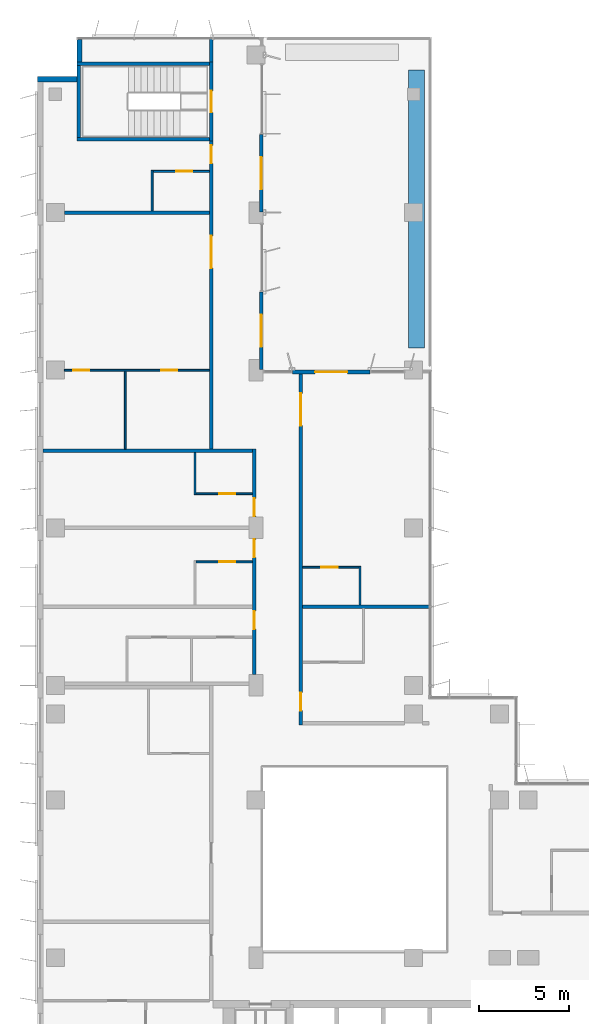
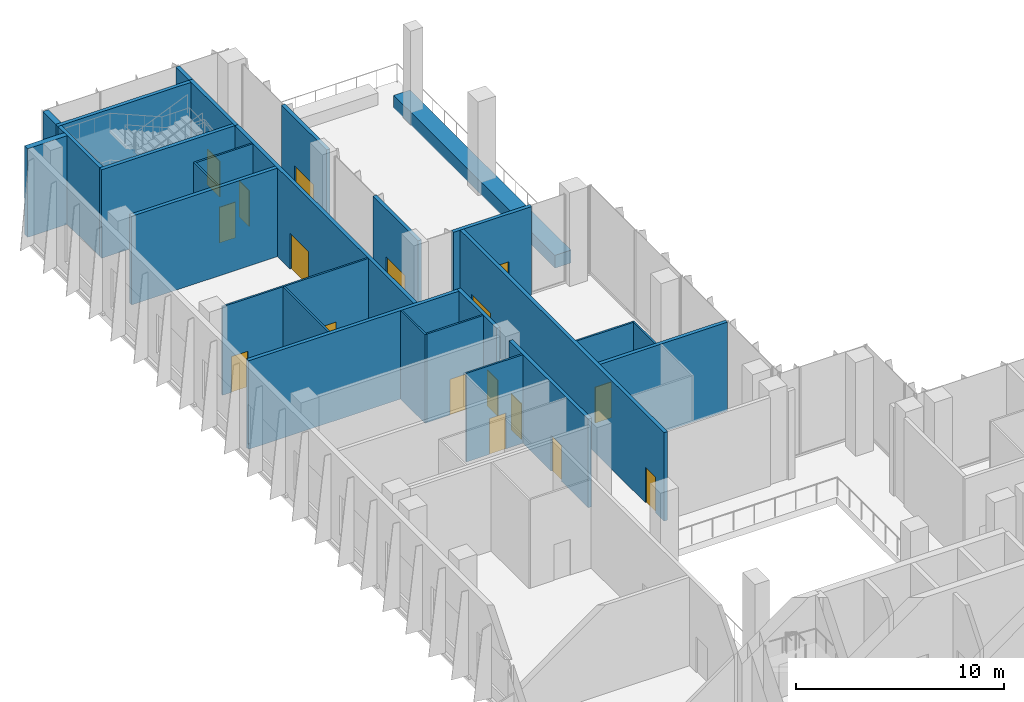
# One storey, part 17 of 24: 27 walls, 17 doors, 17 openings.
"""IFC4 building model written with IfcOpenShell, lengths in metres."""

from ifc_helpers import new_model, si_unit, direction, frame, frame_2d, origin, place, context, subcontext, project, spatial, rectangle, extrude, material, layer, layer_set, type_object, element, fill, save


model = new_model("IFC4")

# Units and contexts
model_context = context("Model", 3, precision=1e-05, world=origin(), true_north=direction((0.0, 1.0)))
body_context = subcontext(model_context, "Body", "Model", "MODEL_VIEW")
ifc_project = project(units=[si_unit("LENGTHUNIT", "METRE"), si_unit("AREAUNIT", "SQUARE_METRE"), si_unit("VOLUMEUNIT", "CUBIC_METRE"), si_unit("PLANEANGLEUNIT", "RADIAN"), si_unit("MASSUNIT", "GRAM", prefix="KILO")], contexts=[model_context])

# Site, building, storey
site_placement = place(None, origin())
site = spatial("IfcSite", under=ifc_project, at=site_placement, CompositionType="ELEMENT")
building_placement = place(site_placement, origin())
building = spatial("IfcBuilding", under=site, at=building_placement, Name="Kemantara Hotel Tower", CompositionType="ELEMENT")
storey_placement = place(building_placement, frame((0.0, 0.0, 202.5)))
storey = spatial("IfcBuildingStorey", under=building, at=storey_placement, Name="L50", CompositionType="ELEMENT", Elevation=202.5)

# Walls
ifc_material_1 = material(Name="Bronze anodised aluminium cladding on insulated steel stud wall", Category="steel")
ifc_layer_1 = layer(ifc_material_1, 0.300048828125)
ifc_layer_set_1 = layer_set([ifc_layer_1], Name="Bronze anodised aluminium cladding on insulated steel stud wall")
wall_type_1 = type_object("IfcWallType", Name="BRONZE METAL-CLAD EXTERNAL WALL 300", PredefinedType="STANDARD", material=ifc_layer_set_1)
wall_1_placement = place(storey_placement, frame((2.35009765625, 63.449951171875, 0.0), z_axis=(0.0, 0.0, 1.0), x_axis=(0.0, -1.0, 0.0)))
element("IfcWall", 1, at=wall_1_placement, inside=storey, type_object=wall_type_1, Name="EXTERNAL WALL L50 T3S-R04", PredefinedType="STANDARD", context=body_context, shape_type="SweptSolid", body=[
    extrude(rectangle(XDim=1.25, YDim=0.300048828125, at=frame_2d((0.625, 0.0))), origin(), (0.0, 0.0, 1.0), 5.199951171875),
])
wall_2_placement = place(storey_placement, frame((2.199951171875, 61.25, 0.0), z_axis=(0.0, 0.0, 1.0), x_axis=(-1.0, 0.0, 0.0)))
element("IfcWall", 2, at=wall_2_placement, inside=storey, type_object=wall_type_1, Name="EXTERNAL WALL L50 T3S-R05", PredefinedType="STANDARD", context=body_context, shape_type="SweptSolid", body=[
    extrude(rectangle(XDim=2.199951171875, YDim=0.300048828125, at=frame_2d((1.10009765625, 0.0))), origin(), (0.0, 0.0, 1.0), 5.199951171875),
])

# Wall, openings, doors
ifc_material_2 = material(Name="Gypsum board partition, steel studs and mineral wool, 200 mm", Category="steel")
ifc_layer_2 = layer(ifc_material_2, 0.199951171875)
ifc_layer_set_2 = layer_set([ifc_layer_2], Name="Gypsum board partition, steel studs and mineral wool, 200 mm")
wall_type_2 = type_object("IfcWallType", Name="CORRIDOR WALL 200", PredefinedType="PARTITIONING", material=ifc_layer_set_2)
wall_3_placement = place(storey_placement, frame((9.699951171875, 40.60009765625, 0.0), z_axis=(0.0, 0.0, 1.0), x_axis=(0.0, 1.0, 0.0)))
wall_3 = element("IfcWall", 3, at=wall_3_placement, inside=storey, type_object=wall_type_2, Name="CORRIDOR WALL 200 010", PredefinedType="PARTITIONING", context=body_context, shape_type="SweptSolid", body=[
    extrude(rectangle(XDim=17.199951171875, YDim=0.199951171875, at=frame_2d((8.60009765625, 0.0))), origin(), (0.0, 0.0, 1.0), 5.199951171875),
])
opening_1_placement = place(wall_3_placement, frame((10.10009765625, 0.0, 0.0)))
opening_1 = element("IfcOpeningElement", 4, at=opening_1_placement, cuts=wall_3, Name="Opening F24-030", PredefinedType="OPENING", context=body_context, shape_type="SweptSolid", body=[
    extrude(rectangle(XDim=1.800048828125, YDim=2.10009765625, at=frame_2d((0.89990234375, 1.050048828125))), frame((0.0, 0.10986328125, 0.0), z_axis=(0.0, -1.0, 0.0), x_axis=(1.0, 0.0, 0.0)), (0.0, 0.0, 1.0), 0.219970703125),
])
opening_2_placement = place(wall_3_placement, frame((15.949951171875, 0.0, 0.0)))
opening_2 = element("IfcOpeningElement", 5, at=opening_2_placement, cuts=wall_3, Name="Opening F24-033", PredefinedType="OPENING", context=body_context, shape_type="SweptSolid", body=[
    extrude(rectangle(XDim=1.0, YDim=2.10009765625, at=frame_2d((0.5, 1.050048828125))), frame((0.0, 0.10986328125, 0.0), z_axis=(0.0, -1.0, 0.0), x_axis=(1.0, 0.0, 0.0)), (0.0, 0.0, 1.0), 0.219970703125),
])
ifc_material_3 = material(Name="Hardwood veneer door leaf with steel frame", Category="steel")
door_type_1 = type_object("IfcDoorType", Name="AMENITY ROOM DOOR 1800 X 2100 FD30S", OperationType="NOTDEFINED", PredefinedType="DOOR", material=ifc_material_3)
door_1_placement = place(opening_1_placement, origin())
door_1 = element("IfcDoor", 6, at=door_1_placement, inside=storey, type_object=door_type_1, Name="AMENITY ROOM DOOR F24-030", OperationType="DOUBLE_DOOR_SINGLE_SWING", OverallHeight=2.10009765625, OverallWidth=1.800048828125, PredefinedType="DOOR", context=body_context, shape_type="SweptSolid", body=[
    extrude(rectangle(XDim=1.800048828125, YDim=2.10009765625, at=frame_2d((0.89990234375, 1.050048828125))), frame((0.0, 0.02490234375, 0.0), z_axis=(0.0, -1.0, 0.0), x_axis=(1.0, 0.0, 0.0)), (0.0, 0.0, 1.0), 0.050048828125),
])
fill(opening_1, door_1)
door_type_2 = type_object("IfcDoorType", Name="GUEST ROOM DOOR 1000 X 2100 FD30S", OperationType="NOTDEFINED", PredefinedType="DOOR", material=ifc_material_3)
door_2_placement = place(opening_2_placement, origin())
door_2 = element("IfcDoor", 7, at=door_2_placement, inside=storey, type_object=door_type_2, Name="GUEST ROOM DOOR F24-033", OperationType="SINGLE_SWING_RIGHT", OverallHeight=2.10009765625, OverallWidth=1.0, PredefinedType="DOOR", context=body_context, shape_type="SweptSolid", body=[
    extrude(rectangle(XDim=1.0, YDim=2.10009765625, at=frame_2d((0.5, 1.050048828125))), frame((0.0, 0.02490234375, 0.0), z_axis=(0.0, -1.0, 0.0), x_axis=(1.0, 0.0, 0.0)), (0.0, 0.0, 1.0), 0.050048828125),
])
fill(opening_2, door_2)

# Wall
wall_4_placement = place(storey_placement, frame((9.699951171875, 62.199951171875, 0.0), z_axis=(0.0, 0.0, 1.0), x_axis=(0.0, 1.0, 0.0)))
element("IfcWall", 8, at=wall_4_placement, inside=storey, type_object=wall_type_2, Name="CORRIDOR WALL 200 011", PredefinedType="PARTITIONING", context=body_context, shape_type="SweptSolid", body=[
    extrude(rectangle(XDim=1.280029296875, YDim=0.199951171875, at=frame_2d((0.64013671875, 0.0))), origin(), (0.0, 0.0, 1.0), 5.199951171875),
])

# Wall, openings, doors
wall_5_placement = place(storey_placement, frame((12.10009765625, 28.0, 0.0), z_axis=(0.0, 0.0, 1.0), x_axis=(0.0, 1.0, 0.0)))
wall_5 = element("IfcWall", 9, at=wall_5_placement, inside=storey, type_object=wall_type_2, Name="CORRIDOR WALL 200 014", PredefinedType="PARTITIONING", context=body_context, shape_type="SweptSolid", body=[
    extrude(rectangle(XDim=7.599853515625, YDim=0.199951171875, at=frame_2d((3.7998046875, 0.0))), origin(), (0.0, 0.0, 1.0), 5.199951171875),
])
opening_3_placement = place(wall_5_placement, frame((2.5498046875, 0.0, 0.0)))
opening_3 = element("IfcOpeningElement", 10, at=opening_3_placement, cuts=wall_5, Name="Opening F24-019", PredefinedType="OPENING", context=body_context, shape_type="SweptSolid", body=[
    extrude(rectangle(XDim=1.0, YDim=2.10009765625, at=frame_2d((0.5, 1.050048828125))), frame((0.0, 0.10986328125, 0.0), z_axis=(0.0, -1.0, 0.0), x_axis=(1.0, 0.0, 0.0)), (0.0, 0.0, 1.0), 0.219970703125),
])
opening_4_placement = place(wall_5_placement, frame((6.5498046875, 0.0, 0.0)))
opening_4 = element("IfcOpeningElement", 11, at=opening_4_placement, cuts=wall_5, Name="Opening F24-022", PredefinedType="OPENING", context=body_context, shape_type="SweptSolid", body=[
    extrude(rectangle(XDim=1.0, YDim=2.10009765625, at=frame_2d((0.5, 1.050048828125))), frame((0.0, 0.10986328125, 0.0), z_axis=(0.0, -1.0, 0.0), x_axis=(1.0, 0.0, 0.0)), (0.0, 0.0, 1.0), 0.219970703125),
])
door_3_placement = place(opening_3_placement, origin())
door_3 = element("IfcDoor", 12, at=door_3_placement, inside=storey, type_object=door_type_2, Name="GUEST ROOM DOOR F24-019", OperationType="SINGLE_SWING_RIGHT", OverallHeight=2.10009765625, OverallWidth=1.0, PredefinedType="DOOR", context=body_context, shape_type="SweptSolid", body=[
    extrude(rectangle(XDim=1.0, YDim=2.10009765625, at=frame_2d((0.5, 1.050048828125))), frame((0.0, 0.02490234375, 0.0), z_axis=(0.0, -1.0, 0.0), x_axis=(1.0, 0.0, 0.0)), (0.0, 0.0, 1.0), 0.050048828125),
])
fill(opening_3, door_3)
door_4_placement = place(opening_4_placement, origin())
door_4 = element("IfcDoor", 13, at=door_4_placement, inside=storey, type_object=door_type_2, Name="GUEST ROOM DOOR F24-022", OperationType="SINGLE_SWING_RIGHT", OverallHeight=2.10009765625, OverallWidth=1.0, PredefinedType="DOOR", context=body_context, shape_type="SweptSolid", body=[
    extrude(rectangle(XDim=1.0, YDim=2.10009765625, at=frame_2d((0.5, 1.050048828125))), frame((0.0, 0.02490234375, 0.0), z_axis=(0.0, -1.0, 0.0), x_axis=(1.0, 0.0, 0.0)), (0.0, 0.0, 1.0), 0.050048828125),
])
fill(opening_4, door_4)

# Wall, opening, door
wall_6_placement = place(storey_placement, frame((12.10009765625, 36.800048828125, 0.0), z_axis=(0.0, 0.0, 1.0), x_axis=(0.0, 1.0, 0.0)))
wall_6 = element("IfcWall", 14, at=wall_6_placement, inside=storey, type_object=wall_type_2, Name="CORRIDOR WALL 200 015", PredefinedType="PARTITIONING", context=body_context, shape_type="SweptSolid", body=[
    extrude(rectangle(XDim=3.800048828125, YDim=0.199951171875, at=frame_2d((1.89990234375, 0.0))), origin(), (0.0, 0.0, 1.0), 5.199951171875),
])
opening_5_placement = place(wall_6_placement, frame((0.0498046875, 0.0, 0.0)))
opening_5 = element("IfcOpeningElement", 15, at=opening_5_placement, cuts=wall_6, Name="Opening F24-024", PredefinedType="OPENING", context=body_context, shape_type="SweptSolid", body=[
    extrude(rectangle(XDim=1.0, YDim=2.10009765625, at=frame_2d((0.5, 1.050048828125))), frame((0.0, 0.10986328125, 0.0), z_axis=(0.0, -1.0, 0.0), x_axis=(1.0, 0.0, 0.0)), (0.0, 0.0, 1.0), 0.219970703125),
])
door_5_placement = place(opening_5_placement, origin())
door_5 = element("IfcDoor", 16, at=door_5_placement, inside=storey, type_object=door_type_2, Name="GUEST ROOM DOOR F24-024", OperationType="SINGLE_SWING_LEFT", OverallHeight=2.10009765625, OverallWidth=1.0, PredefinedType="DOOR", context=body_context, shape_type="SweptSolid", body=[
    extrude(rectangle(XDim=1.0, YDim=2.10009765625, at=frame_2d((0.5, 1.050048828125))), frame((0.0, 0.02490234375, 0.0), z_axis=(0.0, -1.0, 0.0), x_axis=(1.0, 0.0, 0.0)), (0.0, 0.0, 1.0), 0.050048828125),
])
fill(opening_5, door_5)

# Wall, openings, doors
wall_7_placement = place(storey_placement, frame((14.699951171875, 44.7998046875, 0.0), z_axis=(0.0, 0.0, 1.0), x_axis=(0.0, -1.0, 0.0)))
wall_7 = element("IfcWall", 17, at=wall_7_placement, inside=storey, type_object=wall_type_2, Name="CORRIDOR WALL 200 021", PredefinedType="PARTITIONING", context=body_context, shape_type="SweptSolid", body=[
    extrude(rectangle(XDim=19.599853515625, YDim=0.199951171875, at=frame_2d((9.7998046875, 0.0))), origin(), (0.0, 0.0, 1.0), 5.199951171875),
])
opening_6_placement = place(wall_7_placement, frame((17.7998046875, 0.0, 0.0)))
opening_6 = element("IfcOpeningElement", 18, at=opening_6_placement, cuts=wall_7, Name="Opening F24-026", PredefinedType="OPENING", context=body_context, shape_type="SweptSolid", body=[
    extrude(rectangle(XDim=1.0, YDim=2.10009765625, at=frame_2d((0.5, 1.050048828125))), frame((0.0, 0.10986328125, 0.0), z_axis=(0.0, -1.0, 0.0), x_axis=(1.0, 0.0, 0.0)), (0.0, 0.0, 1.0), 0.219970703125),
])
opening_7_placement = place(wall_7_placement, frame((1.099853515625, 0.0, 0.0)))
opening_7 = element("IfcOpeningElement", 19, at=opening_7_placement, cuts=wall_7, Name="Opening F24-028", PredefinedType="OPENING", context=body_context, shape_type="SweptSolid", body=[
    extrude(rectangle(XDim=1.800048828125, YDim=2.10009765625, at=frame_2d((0.89990234375, 1.050048828125))), frame((0.0, 0.10986328125, 0.0), z_axis=(0.0, -1.0, 0.0), x_axis=(1.0, 0.0, 0.0)), (0.0, 0.0, 1.0), 0.219970703125),
])
door_6_placement = place(opening_6_placement, origin())
door_6 = element("IfcDoor", 20, at=door_6_placement, inside=storey, type_object=door_type_2, Name="GUEST ROOM DOOR F24-026", OperationType="SINGLE_SWING_RIGHT", OverallHeight=2.10009765625, OverallWidth=1.0, PredefinedType="DOOR", context=body_context, shape_type="SweptSolid", body=[
    extrude(rectangle(XDim=1.0, YDim=2.10009765625, at=frame_2d((0.5, 1.050048828125))), frame((0.0, 0.02490234375, 0.0), z_axis=(0.0, -1.0, 0.0), x_axis=(1.0, 0.0, 0.0)), (0.0, 0.0, 1.0), 0.050048828125),
])
fill(opening_6, door_6)
door_type_3 = type_object("IfcDoorType", Name="GUEST ROOM DOOR 1800 X 2100 FD30S", OperationType="NOTDEFINED", PredefinedType="DOOR", material=ifc_material_3)
door_7_placement = place(opening_7_placement, origin())
door_7 = element("IfcDoor", 21, at=door_7_placement, inside=storey, type_object=door_type_3, Name="GUEST ROOM DOOR F24-028", OperationType="DOUBLE_DOOR_SINGLE_SWING", OverallHeight=2.10009765625, OverallWidth=1.800048828125, PredefinedType="DOOR", context=body_context, shape_type="SweptSolid", body=[
    extrude(rectangle(XDim=1.800048828125, YDim=2.10009765625, at=frame_2d((0.89990234375, 1.050048828125))), frame((0.0, 0.02490234375, 0.0), z_axis=(0.0, -1.0, 0.0), x_axis=(1.0, 0.0, 0.0)), (0.0, 0.0, 1.0), 0.050048828125),
])
fill(opening_7, door_7)

# Wall, opening, door
ifc_material_4 = material(Name="Concrete fc 40 MPa", Category="concrete")
ifc_layer_3 = layer(ifc_material_4, 0.199951171875)
ifc_layer_set_3 = layer_set([ifc_layer_3], Name="Concrete fc 40 MPa")
wall_type_3 = type_object("IfcWallType", Name="Concrete stair wall 200 mm", PredefinedType="SHEAR", material=ifc_layer_set_3)
wall_8_placement = place(storey_placement, frame((9.699951171875, 57.800048828125, 0.0), z_axis=(0.0, 0.0, 1.0), x_axis=(0.0, 1.0, 0.0)))
wall_8 = element("IfcWall", 22, at=wall_8_placement, inside=storey, type_object=wall_type_3, Name="Stair ST4 enclosure wall with door", PredefinedType="SHEAR", context=body_context, shape_type="SweptSolid", body=[
    extrude(rectangle(XDim=4.39990234375, YDim=0.199951171875, at=frame_2d((2.199951171875, 0.0))), origin(), (0.0, 0.0, 1.0), 5.199951171875),
])
opening_8_placement = place(wall_8_placement, frame((1.60009765625, 0.0, 0.0)))
opening_8 = element("IfcOpeningElement", 23, at=opening_8_placement, cuts=wall_8, Name="Opening ST4-C", PredefinedType="OPENING", context=body_context, shape_type="SweptSolid", body=[
    extrude(rectangle(XDim=1.199951171875, YDim=2.10009765625, at=frame_2d((0.60009765625, 1.050048828125))), frame((0.0, 0.10986328125, 0.0), z_axis=(0.0, -1.0, 0.0), x_axis=(1.0, 0.0, 0.0)), (0.0, 0.0, 1.0), 0.219970703125),
])
ifc_material_5 = material(Name="Steel fire door", Category="steel")
door_type_4 = type_object("IfcDoorType", Name="Fire door FD90 1200 x 2100", OperationType="NOTDEFINED", PredefinedType="DOOR", material=ifc_material_5)
door_8_placement = place(opening_8_placement, origin())
door_8 = element("IfcDoor", 24, at=door_8_placement, inside=storey, type_object=door_type_4, Name="Stair ST4 door", OperationType="SINGLE_SWING_RIGHT", OverallHeight=2.10009765625, OverallWidth=1.199951171875, PredefinedType="DOOR", context=body_context, shape_type="SweptSolid", body=[
    extrude(rectangle(XDim=1.199951171875, YDim=2.10009765625, at=frame_2d((0.60009765625, 1.050048828125))), frame((0.0, 0.02490234375, 0.0), z_axis=(0.0, -1.0, 0.0), x_axis=(1.0, 0.0, 0.0)), (0.0, 0.0, 1.0), 0.050048828125),
])
fill(opening_8, door_8)

# Walls
for number, where, z_axis, x_axis, name in (
    (25, (2.199951171875, 62.10009765625, 0.0), (0.0, 0.0, 1.0), (1.0, 0.0, 0.0), "Stair ST4 enclosure wall N"),
    (26, (2.199951171875, 57.89990234375, 0.0), (0.0, 0.0, 1.0), (1.0, 0.0, 0.0), "Stair ST4 enclosure wall S"),
):
    element("IfcWall", number, at=place(storey_placement, frame(where, z_axis=z_axis, x_axis=x_axis)), inside=storey, type_object=wall_type_3, Name=name, PredefinedType="SHEAR", context=body_context, shape_type="SweptSolid", body=[
        extrude(rectangle(XDim=7.400146484375, YDim=0.199951171875, at=frame_2d((3.7001953125, 0.0))), origin(), (0.0, 0.0, 1.0), 5.199951171875),
    ])
wall_9_placement = place(storey_placement, frame((2.300048828125, 58.0, 0.0), z_axis=(0.0, 0.0, 1.0), x_axis=(0.0, 1.0, 0.0)))
element("IfcWall", 27, at=wall_9_placement, inside=storey, type_object=wall_type_3, Name="Stair ST4 enclosure wall W", PredefinedType="SHEAR", context=body_context, shape_type="SweptSolid", body=[
    extrude(rectangle(XDim=4.0, YDim=0.199951171875, at=frame_2d((2.0, 0.0))), origin(), (0.0, 0.0, 1.0), 5.199951171875),
])
ifc_layer_4 = layer(ifc_material_2, 0.199951171875)
ifc_layer_set_4 = layer_set([ifc_layer_4], Name="Gypsum board partition, steel studs and mineral wool, 200 mm")
wall_type_4 = type_object("IfcWallType", Name="GUEST ROOM PARTY WALL 200", PredefinedType="PARTITIONING", material=ifc_layer_set_4)
wall_10_placement = place(storey_placement, frame((14.800048828125, 31.800048828125, 0.0), z_axis=(0.0, 0.0, 1.0), x_axis=(1.0, 0.0, 0.0)))
element("IfcWall", 28, at=wall_10_placement, inside=storey, type_object=wall_type_4, Name="GUEST ROOM PARTY WALL 200 018", PredefinedType="PARTITIONING", context=body_context, shape_type="SweptSolid", body=[
    extrude(rectangle(XDim=7.070068359375, YDim=0.199951171875, at=frame_2d((3.53515625, 0.0))), origin(), (0.0, 0.0, 1.0), 5.199951171875),
])
wall_11_placement = place(storey_placement, frame((0.31005859375, 40.5, 0.0), z_axis=(0.0, 0.0, 1.0), x_axis=(1.0, 0.0, 0.0)))
element("IfcWall", 29, at=wall_11_placement, inside=storey, type_object=wall_type_4, Name="GUEST ROOM PARTY WALL 200 020", PredefinedType="PARTITIONING", context=body_context, shape_type="SweptSolid", body=[
    extrude(rectangle(XDim=11.68994140625, YDim=0.199951171875, at=frame_2d((5.844970703125, 0.0))), origin(), (0.0, 0.0, 1.0), 5.199951171875),
])
wall_12_placement = place(storey_placement, frame((1.5, 53.800048828125, 0.0), z_axis=(0.0, 0.0, 1.0), x_axis=(1.0, 0.0, 0.0)))
element("IfcWall", 30, at=wall_12_placement, inside=storey, type_object=wall_type_4, Name="GUEST ROOM PARTY WALL 200 024", PredefinedType="PARTITIONING", context=body_context, shape_type="SweptSolid", body=[
    extrude(rectangle(XDim=8.10009765625, YDim=0.199951171875, at=frame_2d((4.050048828125, 0.0))), origin(), (0.0, 0.0, 1.0), 5.199951171875),
])
ifc_material_6 = material(Name="Concrete K-350 (fc 29 MPa)", Category="concrete")
ifc_layer_5 = layer(ifc_material_6, 0.89990234375)
ifc_layer_set_5 = layer_set([ifc_layer_5], Name="Concrete K-350 (fc 29 MPa)")
wall_type_5 = type_object("IfcWallType", Name="PLANTER, RAISED CONCRETE TROUGH 900x700", PredefinedType="STANDARD", material=ifc_layer_set_5)
wall_13_placement = place(storey_placement, frame((21.14990234375, 61.75, -0.050048828125), z_axis=(0.0, 0.0, 1.0), x_axis=(0.0, -1.0, 0.0)))
element("IfcWall", 31, at=wall_13_placement, inside=storey, type_object=wall_type_5, Name="PLANTER TERRACE-SPA-1.2", PredefinedType="STANDARD", context=body_context, shape_type="SweptSolid", body=[
    extrude(rectangle(XDim=15.5, YDim=0.89990234375, at=frame_2d((7.75, 0.0))), origin(), (0.0, 0.0, 1.0), 0.75),
])
ifc_material_7 = material(Name="Gypsum board partition on steel studs, 100 mm", Category="steel")
ifc_layer_6 = layer(ifc_material_7, 0.10009765625)
ifc_layer_set_6 = layer_set([ifc_layer_6], Name="Gypsum board partition on steel studs, 100 mm")
wall_type_6 = type_object("IfcWallType", Name="ROOM PARTITION 100", PredefinedType="PARTITIONING", material=ifc_layer_set_6)
wall_14_placement = place(storey_placement, frame((8.800048828125, 38.050048828125, 0.0), z_axis=(0.0, 0.0, 1.0), x_axis=(0.0, 1.0, 0.0)))
element("IfcWall", 32, at=wall_14_placement, inside=storey, type_object=wall_type_6, Name="ROOM PARTITION 100 045", PredefinedType="PARTITIONING", context=body_context, shape_type="SweptSolid", body=[
    extrude(rectangle(XDim=2.349853515625, YDim=0.10009765625, at=frame_2d((1.1748046875, 0.0))), origin(), (0.0, 0.0, 1.0), 5.199951171875),
])

# Wall, opening, door
wall_15_placement = place(storey_placement, frame((12.0, 34.300048828125, 0.0), z_axis=(0.0, 0.0, 1.0), x_axis=(-1.0, 0.0, 0.0)))
wall_15 = element("IfcWall", 33, at=wall_15_placement, inside=storey, type_object=wall_type_6, Name="ROOM PARTITION 100 046", PredefinedType="PARTITIONING", context=body_context, shape_type="SweptSolid", body=[
    extrude(rectangle(XDim=3.14990234375, YDim=0.10009765625, at=frame_2d((1.574951171875, 0.0))), origin(), (0.0, 0.0, 1.0), 5.199951171875),
])
opening_9_placement = place(wall_15_placement, frame((0.949951171875, 0.0, 0.0)))
opening_9 = element("IfcOpeningElement", 34, at=opening_9_placement, cuts=wall_15, Name="Opening F24-023", PredefinedType="OPENING", context=body_context, shape_type="SweptSolid", body=[
    extrude(rectangle(XDim=0.89990234375, YDim=2.10009765625, at=frame_2d((0.449951171875, 1.050048828125))), frame((0.0, 0.06005859375, 0.0), z_axis=(0.0, -1.0, 0.0), x_axis=(1.0, 0.0, 0.0)), (0.0, 0.0, 1.0), 0.1201171875),
])
door_type_5 = type_object("IfcDoorType", Name="BATHROOM DOOR 900 X 2100", OperationType="NOTDEFINED", PredefinedType="DOOR", material=ifc_material_3)
door_9_placement = place(opening_9_placement, origin())
door_9 = element("IfcDoor", 35, at=door_9_placement, inside=storey, type_object=door_type_5, Name="BATHROOM DOOR F24-023", OperationType="SINGLE_SWING_LEFT", OverallHeight=2.10009765625, OverallWidth=0.89990234375, PredefinedType="DOOR", context=body_context, shape_type="SweptSolid", body=[
    extrude(rectangle(XDim=0.89990234375, YDim=2.10009765625, at=frame_2d((0.449951171875, 1.050048828125))), frame((0.0, 0.02490234375, 0.0), z_axis=(0.0, -1.0, 0.0), x_axis=(1.0, 0.0, 0.0)), (0.0, 0.0, 1.0), 0.050048828125),
])
fill(opening_9, door_9)

wall_16_placement = place(storey_placement, frame((8.85009765625, 38.10009765625, 0.0), z_axis=(0.0, 0.0, 1.0), x_axis=(1.0, 0.0, 0.0)))
wall_16 = element("IfcWall", 36, at=wall_16_placement, inside=storey, type_object=wall_type_6, Name="ROOM PARTITION 100 047", PredefinedType="PARTITIONING", context=body_context, shape_type="SweptSolid", body=[
    extrude(rectangle(XDim=3.14990234375, YDim=0.10009765625, at=frame_2d((1.574951171875, 0.0))), origin(), (0.0, 0.0, 1.0), 5.199951171875),
])
opening_10_placement = place(wall_16_placement, frame((1.300048828125, 0.0, 0.0)))
opening_10 = element("IfcOpeningElement", 37, at=opening_10_placement, cuts=wall_16, Name="Opening F24-025", PredefinedType="OPENING", context=body_context, shape_type="SweptSolid", body=[
    extrude(rectangle(XDim=0.89990234375, YDim=2.10009765625, at=frame_2d((0.449951171875, 1.050048828125))), frame((0.0, 0.06005859375, 0.0), z_axis=(0.0, -1.0, 0.0), x_axis=(1.0, 0.0, 0.0)), (0.0, 0.0, 1.0), 0.1201171875),
])
door_10_placement = place(opening_10_placement, origin())
door_10 = element("IfcDoor", 38, at=door_10_placement, inside=storey, type_object=door_type_5, Name="BATHROOM DOOR F24-025", OperationType="SINGLE_SWING_RIGHT", OverallHeight=2.10009765625, OverallWidth=0.89990234375, PredefinedType="DOOR", context=body_context, shape_type="SweptSolid", body=[
    extrude(rectangle(XDim=0.89990234375, YDim=2.10009765625, at=frame_2d((0.449951171875, 1.050048828125))), frame((0.0, 0.02490234375, 0.0), z_axis=(0.0, -1.0, 0.0), x_axis=(1.0, 0.0, 0.0)), (0.0, 0.0, 1.0), 0.050048828125),
])
fill(opening_10, door_10)

# Wall
wall_17_placement = place(storey_placement, frame((18.0, 31.89990234375, 0.0), z_axis=(0.0, 0.0, 1.0), x_axis=(0.0, 1.0, 0.0)))
element("IfcWall", 39, at=wall_17_placement, inside=storey, type_object=wall_type_6, Name="ROOM PARTITION 100 050", PredefinedType="PARTITIONING", context=body_context, shape_type="SweptSolid", body=[
    extrude(rectangle(XDim=2.150146484375, YDim=0.10009765625, at=frame_2d((1.0751953125, 0.0))), origin(), (0.0, 0.0, 1.0), 5.199951171875),
])

# Wall, opening, door
wall_18_placement = place(storey_placement, frame((17.949951171875, 34.0, 0.0), z_axis=(0.0, 0.0, 1.0), x_axis=(-1.0, 0.0, 0.0)))
wall_18 = element("IfcWall", 40, at=wall_18_placement, inside=storey, type_object=wall_type_6, Name="ROOM PARTITION 100 051", PredefinedType="PARTITIONING", context=body_context, shape_type="SweptSolid", body=[
    extrude(rectangle(XDim=3.14990234375, YDim=0.10009765625, at=frame_2d((1.574951171875, 0.0))), origin(), (0.0, 0.0, 1.0), 5.199951171875),
])
opening_11_placement = place(wall_18_placement, frame((1.199951171875, 0.0, 0.0)))
opening_11 = element("IfcOpeningElement", 41, at=opening_11_placement, cuts=wall_18, Name="Opening F24-029", PredefinedType="OPENING", context=body_context, shape_type="SweptSolid", body=[
    extrude(rectangle(XDim=0.89990234375, YDim=2.10009765625, at=frame_2d((0.449951171875, 1.050048828125))), frame((0.0, 0.06005859375, 0.0), z_axis=(0.0, -1.0, 0.0), x_axis=(1.0, 0.0, 0.0)), (0.0, 0.0, 1.0), 0.1201171875),
])
door_type_6 = type_object("IfcDoorType", Name="PANTRY DOOR 900 X 2100", OperationType="NOTDEFINED", PredefinedType="DOOR", material=ifc_material_3)
door_11_placement = place(opening_11_placement, origin())
door_11 = element("IfcDoor", 42, at=door_11_placement, inside=storey, type_object=door_type_6, Name="PANTRY DOOR F24-029", OperationType="SINGLE_SWING_RIGHT", OverallHeight=2.10009765625, OverallWidth=0.89990234375, PredefinedType="DOOR", context=body_context, shape_type="SweptSolid", body=[
    extrude(rectangle(XDim=0.89990234375, YDim=2.10009765625, at=frame_2d((0.449951171875, 1.050048828125))), frame((0.0, 0.02490234375, 0.0), z_axis=(0.0, -1.0, 0.0), x_axis=(1.0, 0.0, 0.0)), (0.0, 0.0, 1.0), 0.050048828125),
])
fill(opening_11, door_11)

# Wall
wall_19_placement = place(storey_placement, frame((4.89990234375, 40.60009765625, 0.0), z_axis=(0.0, 0.0, 1.0), x_axis=(0.0, 1.0, 0.0)))
element("IfcWall", 43, at=wall_19_placement, inside=storey, type_object=wall_type_6, Name="ROOM PARTITION 100 052", PredefinedType="PARTITIONING", context=body_context, shape_type="SweptSolid", body=[
    extrude(rectangle(XDim=4.349853515625, YDim=0.10009765625, at=frame_2d((2.1748046875, 0.0))), origin(), (0.0, 0.0, 1.0), 5.199951171875),
])

# Wall, openings, doors
wall_20_placement = place(storey_placement, frame((9.60009765625, 45.0, 0.0), z_axis=(0.0, 0.0, 1.0), x_axis=(-1.0, 0.0, 0.0)))
wall_20 = element("IfcWall", 44, at=wall_20_placement, inside=storey, type_object=wall_type_6, Name="ROOM PARTITION 100 053", PredefinedType="PARTITIONING", context=body_context, shape_type="SweptSolid", body=[
    extrude(rectangle(XDim=8.10009765625, YDim=0.10009765625, at=frame_2d((4.050048828125, 0.0))), origin(), (0.0, 0.0, 1.0), 5.199951171875),
])
opening_12_placement = place(wall_20_placement, frame((1.800048828125, 0.0, 0.0)))
opening_12 = element("IfcOpeningElement", 45, at=opening_12_placement, cuts=wall_20, Name="Opening F24-031", PredefinedType="OPENING", context=body_context, shape_type="SweptSolid", body=[
    extrude(rectangle(XDim=0.89990234375, YDim=2.10009765625, at=frame_2d((0.449951171875, 1.050048828125))), frame((0.0, 0.06005859375, 0.0), z_axis=(0.0, -1.0, 0.0), x_axis=(1.0, 0.0, 0.0)), (0.0, 0.0, 1.0), 0.1201171875),
])
opening_13_placement = place(wall_20_placement, frame((6.699951171875, 0.0, 0.0)))
opening_13 = element("IfcOpeningElement", 46, at=opening_13_placement, cuts=wall_20, Name="Opening F24-032", PredefinedType="OPENING", context=body_context, shape_type="SweptSolid", body=[
    extrude(rectangle(XDim=0.89990234375, YDim=2.10009765625, at=frame_2d((0.449951171875, 1.050048828125))), frame((0.0, 0.06005859375, 0.0), z_axis=(0.0, -1.0, 0.0), x_axis=(1.0, 0.0, 0.0)), (0.0, 0.0, 1.0), 0.1201171875),
])
door_type_7 = type_object("IfcDoorType", Name="INTERNAL DOOR 900 X 2100", OperationType="NOTDEFINED", PredefinedType="DOOR", material=ifc_material_3)
door_12_placement = place(opening_12_placement, origin())
door_12 = element("IfcDoor", 47, at=door_12_placement, inside=storey, type_object=door_type_7, Name="INTERNAL DOOR F24-031", OperationType="SINGLE_SWING_LEFT", OverallHeight=2.10009765625, OverallWidth=0.89990234375, PredefinedType="DOOR", context=body_context, shape_type="SweptSolid", body=[
    extrude(rectangle(XDim=0.89990234375, YDim=2.10009765625, at=frame_2d((0.449951171875, 1.050048828125))), frame((0.0, 0.02490234375, 0.0), z_axis=(0.0, -1.0, 0.0), x_axis=(1.0, 0.0, 0.0)), (0.0, 0.0, 1.0), 0.050048828125),
])
fill(opening_12, door_12)
door_13_placement = place(opening_13_placement, origin())
door_13 = element("IfcDoor", 48, at=door_13_placement, inside=storey, type_object=door_type_7, Name="INTERNAL DOOR F24-032", OperationType="SINGLE_SWING_LEFT", OverallHeight=2.10009765625, OverallWidth=0.89990234375, PredefinedType="DOOR", context=body_context, shape_type="SweptSolid", body=[
    extrude(rectangle(XDim=0.89990234375, YDim=2.10009765625, at=frame_2d((0.449951171875, 1.050048828125))), frame((0.0, 0.02490234375, 0.0), z_axis=(0.0, -1.0, 0.0), x_axis=(1.0, 0.0, 0.0)), (0.0, 0.0, 1.0), 0.050048828125),
])
fill(opening_13, door_13)

# Wall
wall_21_placement = place(storey_placement, frame((6.39990234375, 53.89990234375, 0.0), z_axis=(0.0, 0.0, 1.0), x_axis=(0.0, 1.0, 0.0)))
element("IfcWall", 49, at=wall_21_placement, inside=storey, type_object=wall_type_6, Name="ROOM PARTITION 100 054", PredefinedType="PARTITIONING", context=body_context, shape_type="SweptSolid", body=[
    extrude(rectangle(XDim=2.25, YDim=0.10009765625, at=frame_2d((1.125, 0.0))), origin(), (0.0, 0.0, 1.0), 5.199951171875),
])

# Wall, opening, door
wall_22_placement = place(storey_placement, frame((9.60009765625, 56.10009765625, 0.0), z_axis=(0.0, 0.0, 1.0), x_axis=(-1.0, 0.0, 0.0)))
wall_22 = element("IfcWall", 50, at=wall_22_placement, inside=storey, type_object=wall_type_6, Name="ROOM PARTITION 100 055", PredefinedType="PARTITIONING", context=body_context, shape_type="SweptSolid", body=[
    extrude(rectangle(XDim=3.150146484375, YDim=0.10009765625, at=frame_2d((1.5751953125, 0.0))), origin(), (0.0, 0.0, 1.0), 5.199951171875),
])
opening_14_placement = place(wall_22_placement, frame((0.949951171875, 0.0, 0.0)))
opening_14 = element("IfcOpeningElement", 51, at=opening_14_placement, cuts=wall_22, Name="Opening F24-034", PredefinedType="OPENING", context=body_context, shape_type="SweptSolid", body=[
    extrude(rectangle(XDim=0.89990234375, YDim=2.10009765625, at=frame_2d((0.449951171875, 1.050048828125))), frame((0.0, 0.06005859375, 0.0), z_axis=(0.0, -1.0, 0.0), x_axis=(1.0, 0.0, 0.0)), (0.0, 0.0, 1.0), 0.1201171875),
])
door_14_placement = place(opening_14_placement, origin())
door_14 = element("IfcDoor", 52, at=door_14_placement, inside=storey, type_object=door_type_5, Name="BATHROOM DOOR F24-034", OperationType="SINGLE_SWING_LEFT", OverallHeight=2.10009765625, OverallWidth=0.89990234375, PredefinedType="DOOR", context=body_context, shape_type="SweptSolid", body=[
    extrude(rectangle(XDim=0.89990234375, YDim=2.10009765625, at=frame_2d((0.449951171875, 1.050048828125))), frame((0.0, 0.02490234375, 0.0), z_axis=(0.0, -1.0, 0.0), x_axis=(1.0, 0.0, 0.0)), (0.0, 0.0, 1.0), 0.050048828125),
])
fill(opening_14, door_14)

ifc_material_8 = material(Name="Bronze ceramic cladding on insulated steel stud wall", Category="steel")
ifc_layer_7 = layer(ifc_material_8, 0.199951171875)
ifc_layer_set_7 = layer_set([ifc_layer_7], Name="Bronze ceramic cladding on insulated steel stud wall")
wall_type_7 = type_object("IfcWallType", Name="TERRACE DOOR BAY WALL 200", PredefinedType="STANDARD", material=ifc_layer_set_7)
wall_23_placement = place(storey_placement, frame((18.570068359375, 44.89990234375, 0.0), z_axis=(0.0, 0.0, 1.0), x_axis=(-1.0, 0.0, 0.0)))
wall_23 = element("IfcWall", 53, at=wall_23_placement, inside=storey, type_object=wall_type_7, Name="TERRACE DOOR BAY WALL L50 T3S-R01-1", PredefinedType="STANDARD", context=body_context, shape_type="SweptSolid", body=[
    extrude(rectangle(XDim=4.340087890625, YDim=0.199951171875, at=frame_2d((2.169921875, 0.0))), origin(), (0.0, 0.0, 1.0), 5.199951171875),
])
opening_15_placement = place(wall_23_placement, frame((1.27001953125, 0.0, 0.0)))
opening_15 = element("IfcOpeningElement", 54, at=opening_15_placement, cuts=wall_23, Name="Opening TD-L50-01", PredefinedType="OPENING", context=body_context, shape_type="SweptSolid", body=[
    extrude(rectangle(XDim=1.800048828125, YDim=2.39990234375, at=frame_2d((0.89990234375, 1.199951171875))), frame((0.0, 0.10986328125, 0.0), z_axis=(0.0, -1.0, 0.0), x_axis=(1.0, 0.0, 0.0)), (0.0, 0.0, 1.0), 0.219970703125),
])
ifc_material_9 = material(Name="Toughened tinted glass in bronze anodised aluminium frame", Category="aluminium")
door_type_8 = type_object("IfcDoorType", Name="TERRACE DOOR, DOUBLE LEAF GLAZED 1800x2400", OperationType="DOUBLE_DOOR_SINGLE_SWING", PredefinedType="DOOR", material=ifc_material_9)
door_15_placement = place(opening_15_placement, origin())
door_15 = element("IfcDoor", 55, at=door_15_placement, inside=storey, type_object=door_type_8, Name="TERRACE DOOR L50 T3S-R01-1", OperationType="SINGLE_SWING_LEFT", OverallHeight=2.39990234375, OverallWidth=1.800048828125, PredefinedType="DOOR", context=body_context, shape_type="SweptSolid", body=[
    extrude(rectangle(XDim=1.800048828125, YDim=2.39990234375, at=frame_2d((0.89990234375, 1.199951171875))), frame((0.0, 0.02490234375, 0.0), z_axis=(0.0, -1.0, 0.0), x_axis=(1.0, 0.0, 0.0)), (0.0, 0.0, 1.0), 0.050048828125),
])
fill(opening_15, door_15)

wall_24_placement = place(storey_placement, frame((12.5, 45.030029296875, 0.0), z_axis=(0.0, 0.0, 1.0), x_axis=(0.0, 1.0, 0.0)))
wall_24 = element("IfcWall", 56, at=wall_24_placement, inside=storey, type_object=wall_type_7, Name="TERRACE DOOR BAY WALL L50 T3S-R02-1", PredefinedType="STANDARD", context=body_context, shape_type="SweptSolid", body=[
    extrude(rectangle(XDim=4.340087890625, YDim=0.199951171875, at=frame_2d((2.169921875, 0.0))), origin(), (0.0, 0.0, 1.0), 5.199951171875),
])
opening_16_placement = place(wall_24_placement, frame((1.27001953125, 0.0, 0.0)))
opening_16 = element("IfcOpeningElement", 57, at=opening_16_placement, cuts=wall_24, Name="Opening TD-L50-01", PredefinedType="OPENING", context=body_context, shape_type="SweptSolid", body=[
    extrude(rectangle(XDim=1.800048828125, YDim=2.39990234375, at=frame_2d((0.89990234375, 1.199951171875))), frame((0.0, 0.10986328125, 0.0), z_axis=(0.0, -1.0, 0.0), x_axis=(1.0, 0.0, 0.0)), (0.0, 0.0, 1.0), 0.219970703125),
])
door_16_placement = place(opening_16_placement, origin())
door_16 = element("IfcDoor", 58, at=door_16_placement, inside=storey, type_object=door_type_8, Name="TERRACE DOOR L50 T3S-R02-1", OperationType="SINGLE_SWING_LEFT", OverallHeight=2.39990234375, OverallWidth=1.800048828125, PredefinedType="DOOR", context=body_context, shape_type="SweptSolid", body=[
    extrude(rectangle(XDim=1.800048828125, YDim=2.39990234375, at=frame_2d((0.89990234375, 1.199951171875))), frame((0.0, 0.02490234375, 0.0), z_axis=(0.0, -1.0, 0.0), x_axis=(1.0, 0.0, 0.0)), (0.0, 0.0, 1.0), 0.050048828125),
])
fill(opening_16, door_16)

wall_25_placement = place(storey_placement, frame((12.5, 53.830078125, 0.0), z_axis=(0.0, 0.0, 1.0), x_axis=(0.0, 1.0, 0.0)))
wall_25 = element("IfcWall", 59, at=wall_25_placement, inside=storey, type_object=wall_type_7, Name="TERRACE DOOR BAY WALL L50 T3S-R02-2", PredefinedType="STANDARD", context=body_context, shape_type="SweptSolid", body=[
    extrude(rectangle(XDim=4.33984375, YDim=0.199951171875, at=frame_2d((2.169921875, 0.0))), origin(), (0.0, 0.0, 1.0), 5.199951171875),
])
opening_17_placement = place(wall_25_placement, frame((1.27001953125, 0.0, 0.0)))
opening_17 = element("IfcOpeningElement", 60, at=opening_17_placement, cuts=wall_25, Name="Opening TD-L50-02", PredefinedType="OPENING", context=body_context, shape_type="SweptSolid", body=[
    extrude(rectangle(XDim=1.800048828125, YDim=2.39990234375, at=frame_2d((0.89990234375, 1.199951171875))), frame((0.0, 0.10986328125, 0.0), z_axis=(0.0, -1.0, 0.0), x_axis=(1.0, 0.0, 0.0)), (0.0, 0.0, 1.0), 0.219970703125),
])
door_17_placement = place(opening_17_placement, origin())
door_17 = element("IfcDoor", 61, at=door_17_placement, inside=storey, type_object=door_type_8, Name="TERRACE DOOR L50 T3S-R02-2", OperationType="SINGLE_SWING_LEFT", OverallHeight=2.39990234375, OverallWidth=1.800048828125, PredefinedType="DOOR", context=body_context, shape_type="SweptSolid", body=[
    extrude(rectangle(XDim=1.800048828125, YDim=2.39990234375, at=frame_2d((0.89990234375, 1.199951171875))), frame((0.0, 0.02490234375, 0.0), z_axis=(0.0, -1.0, 0.0), x_axis=(1.0, 0.0, 0.0)), (0.0, 0.0, 1.0), 0.050048828125),
])
fill(opening_17, door_17)

save(model, "model.ifc")
